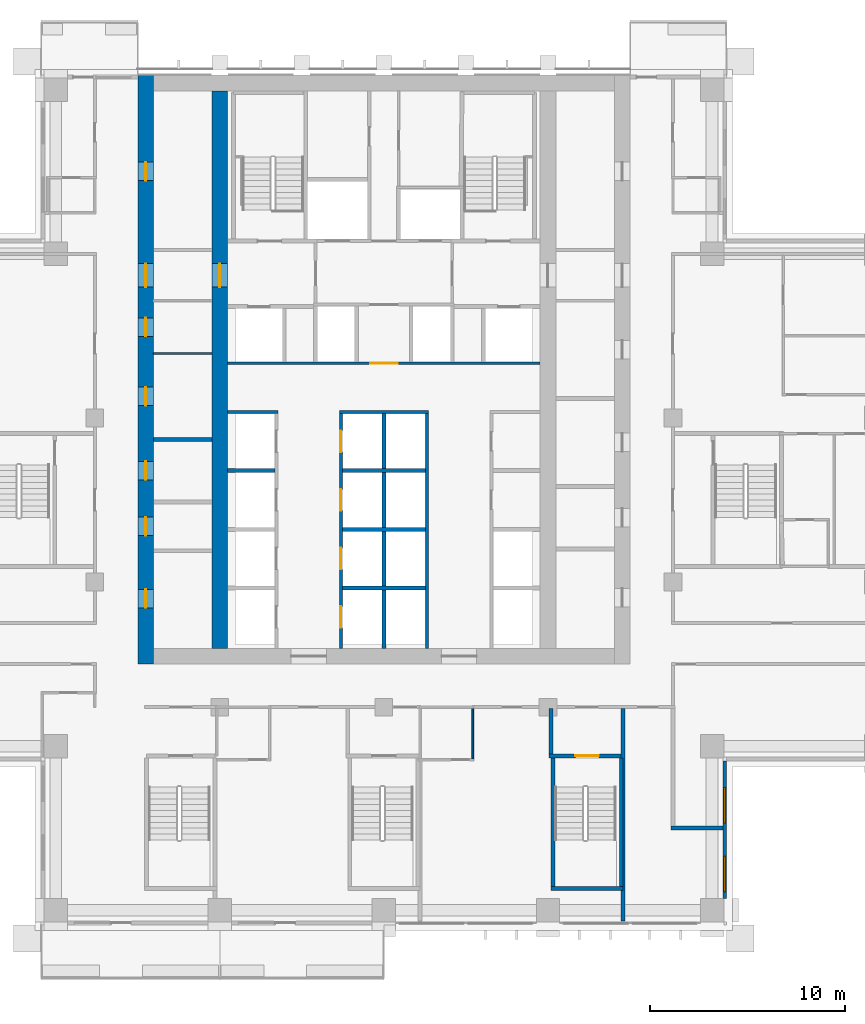
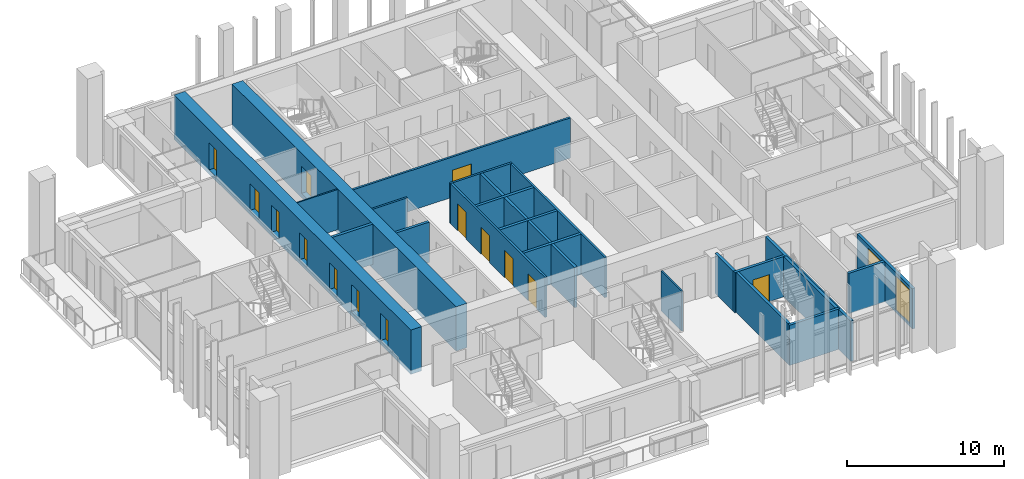
# One storey, part 8 of 17: 23 walls, 14 doors, 2 windows, 16 openings.
"""IFC4 building model written with IfcOpenShell, lengths in metres."""

from ifc_helpers import new_model, si_unit, direction, frame, frame_2d, origin, place, context, subcontext, project, spatial, rectangle, extrude, material, layer, layer_set, type_object, element, fill, save


model = new_model("IFC4")

# Units and contexts
model_context = context("Model", 3, precision=1e-05, world=origin(), true_north=direction((0.0, 1.0)))
body_context = subcontext(model_context, "Body", "Model", "MODEL_VIEW")
ifc_project = project(units=[si_unit("LENGTHUNIT", "METRE"), si_unit("AREAUNIT", "SQUARE_METRE"), si_unit("VOLUMEUNIT", "CUBIC_METRE"), si_unit("PLANEANGLEUNIT", "RADIAN"), si_unit("MASSUNIT", "GRAM", prefix="KILO")], contexts=[model_context])

# Site, building, storey
site_placement = place(None, origin())
site = spatial("IfcSite", under=ifc_project, at=site_placement, CompositionType="ELEMENT")
building_placement = place(site_placement, origin())
building = spatial("IfcBuilding", under=site, at=building_placement, Name="Vermilion Ogive Tower", CompositionType="ELEMENT")
storey_placement = place(building_placement, frame((0.0, 0.0, 111.449951171875)))
storey = spatial("IfcBuildingStorey", under=building, at=storey_placement, Name="L28", CompositionType="ELEMENT", Elevation=111.449951171875)

# Wall, openings, doors
ifc_material_1 = material(Name="Concrete B80", Category="concrete")
ifc_layer_1 = layer(ifc_material_1, 0.800048828125)
ifc_layer_set_1 = layer_set([ifc_layer_1], Name="Core wall 800 B80")
wall_type_1 = type_object("IfcWallType", Name="Core wall 800 B80", PredefinedType="SHEAR", material=ifc_layer_set_1)
wall_1_placement = place(storey_placement, frame((-12.199951171875, -8.39990234375, -0.320068359375), z_axis=(0.0, 0.0, 1.0), x_axis=(0.0, 1.0, 0.0)))
wall_1 = element("IfcWall", 1, at=wall_1_placement, inside=storey, type_object=wall_type_1, Name="L28-CORE-W", PredefinedType="SHEAR", context=body_context, shape_type="SweptSolid", body=[
    extrude(rectangle(XDim=30.14990234375, YDim=0.800048828125, at=frame_2d((15.074951171875, 0.0))), origin(), (0.0, 0.0, 1.0), 3.4501953125),
])
opening_1_placement = place(wall_1_placement, frame((2.875, 0.0, 0.320068359375)))
opening_1 = element("IfcOpeningElement", 2, at=opening_1_placement, cuts=wall_1, Name="Opening DAD056", PredefinedType="OPENING", context=body_context, shape_type="SweptSolid", body=[
    extrude(rectangle(XDim=0.949951171875, YDim=2.10009765625, at=frame_2d((0.47509765625, 1.050048828125))), frame((0.0, 0.409912109375, 0.0), z_axis=(0.0, -1.0, 0.0), x_axis=(1.0, 0.0, 0.0)), (0.0, 0.0, 1.0), 0.820068359375),
])
opening_2_placement = place(wall_1_placement, frame((6.574951171875, 0.0, 0.320068359375)))
opening_2 = element("IfcOpeningElement", 3, at=opening_2_placement, cuts=wall_1, Name="Opening DAD057", PredefinedType="OPENING", context=body_context, shape_type="SweptSolid", body=[
    extrude(rectangle(XDim=0.949951171875, YDim=2.10009765625, at=frame_2d((0.47509765625, 1.050048828125))), frame((0.0, 0.409912109375, 0.0), z_axis=(0.0, -1.0, 0.0), x_axis=(1.0, 0.0, 0.0)), (0.0, 0.0, 1.0), 0.820068359375),
])
opening_3_placement = place(wall_1_placement, frame((9.425048828125, 0.0, 0.320068359375)))
opening_3 = element("IfcOpeningElement", 4, at=opening_3_placement, cuts=wall_1, Name="Opening DAD058", PredefinedType="OPENING", context=body_context, shape_type="SweptSolid", body=[
    extrude(rectangle(XDim=0.949951171875, YDim=2.10009765625, at=frame_2d((0.47509765625, 1.050048828125))), frame((0.0, 0.409912109375, 0.0), z_axis=(0.0, -1.0, 0.0), x_axis=(1.0, 0.0, 0.0)), (0.0, 0.0, 1.0), 0.820068359375),
])
opening_4_placement = place(wall_1_placement, frame((13.22509765625, 0.0, 0.320068359375)))
opening_4 = element("IfcOpeningElement", 5, at=opening_4_placement, cuts=wall_1, Name="Opening DAD059", PredefinedType="OPENING", context=body_context, shape_type="SweptSolid", body=[
    extrude(rectangle(XDim=0.949951171875, YDim=2.10009765625, at=frame_2d((0.47509765625, 1.050048828125))), frame((0.0, 0.409912109375, 0.0), z_axis=(0.0, -1.0, 0.0), x_axis=(1.0, 0.0, 0.0)), (0.0, 0.0, 1.0), 0.820068359375),
])
opening_5_placement = place(wall_1_placement, frame((16.77490234375, 0.0, 0.320068359375)))
opening_5 = element("IfcOpeningElement", 6, at=opening_5_placement, cuts=wall_1, Name="Opening DAD060", PredefinedType="OPENING", context=body_context, shape_type="SweptSolid", body=[
    extrude(rectangle(XDim=0.949951171875, YDim=2.10009765625, at=frame_2d((0.47509765625, 1.050048828125))), frame((0.0, 0.409912109375, 0.0), z_axis=(0.0, -1.0, 0.0), x_axis=(1.0, 0.0, 0.0)), (0.0, 0.0, 1.0), 0.820068359375),
])
opening_6_placement = place(wall_1_placement, frame((24.75, 0.0, 0.320068359375)))
opening_6 = element("IfcOpeningElement", 7, at=opening_6_placement, cuts=wall_1, Name="Opening DAD061", PredefinedType="OPENING", context=body_context, shape_type="SweptSolid", body=[
    extrude(rectangle(XDim=0.949951171875, YDim=2.10009765625, at=frame_2d((0.47509765625, 1.050048828125))), frame((0.0, 0.409912109375, 0.0), z_axis=(0.0, -1.0, 0.0), x_axis=(1.0, 0.0, 0.0)), (0.0, 0.0, 1.0), 0.820068359375),
])
opening_7_placement = place(wall_1_placement, frame((19.300048828125, 0.0, 0.320068359375)))
opening_7 = element("IfcOpeningElement", 8, at=opening_7_placement, cuts=wall_1, Name="Opening DAM011", PredefinedType="OPENING", context=body_context, shape_type="SweptSolid", body=[
    extrude(rectangle(XDim=1.199951171875, YDim=2.10009765625, at=frame_2d((0.60009765625, 1.050048828125))), frame((0.0, 0.409912109375, 0.0), z_axis=(0.0, -1.0, 0.0), x_axis=(1.0, 0.0, 0.0)), (0.0, 0.0, 1.0), 0.820068359375),
])
ifc_material_2 = material(Name="Timber door leaf", Category="wood")
door_type_1 = type_object("IfcDoorType", Name="Link door 1200 x 2100 FD60S", OperationType="SINGLE_SWING_LEFT", PredefinedType="DOOR", material=ifc_material_2)
door_1_placement = place(opening_7_placement, origin())
door_1 = element("IfcDoor", 9, at=door_1_placement, inside=storey, type_object=door_type_1, Name="L28-CKW-XL", OperationType="SINGLE_SWING_LEFT", OverallHeight=2.10009765625, OverallWidth=1.199951171875, PredefinedType="DOOR", context=body_context, shape_type="SweptSolid", body=[
    extrude(rectangle(XDim=1.199951171875, YDim=2.10009765625, at=frame_2d((0.60009765625, 1.050048828125))), frame((0.0, 0.02490234375, 0.0), z_axis=(0.0, -1.0, 0.0), x_axis=(1.0, 0.0, 0.0)), (0.0, 0.0, 1.0), 0.050048828125),
])
fill(opening_7, door_1)
ifc_material_3 = material(Name="Timber door leaf", Category="wood")
door_type_2 = type_object("IfcDoorType", Name="Service door 950 x 2100 FD60", OperationType="SINGLE_SWING_LEFT", PredefinedType="DOOR", material=ifc_material_3)
door_2_placement = place(opening_1_placement, origin())
door_2 = element("IfcDoor", 10, at=door_2_placement, inside=storey, type_object=door_type_2, Name="L28-CKW-XR0", OperationType="SINGLE_SWING_LEFT", OverallHeight=2.10009765625, OverallWidth=0.949951171875, PredefinedType="DOOR", context=body_context, shape_type="SweptSolid", body=[
    extrude(rectangle(XDim=0.949951171875, YDim=2.10009765625, at=frame_2d((0.47509765625, 1.050048828125))), frame((0.0, 0.02490234375, 0.0), z_axis=(0.0, -1.0, 0.0), x_axis=(1.0, 0.0, 0.0)), (0.0, 0.0, 1.0), 0.050048828125),
])
fill(opening_1, door_2)
door_3_placement = place(opening_2_placement, origin())
door_3 = element("IfcDoor", 11, at=door_3_placement, inside=storey, type_object=door_type_2, Name="L28-CKW-XR1", OperationType="SINGLE_SWING_LEFT", OverallHeight=2.10009765625, OverallWidth=0.949951171875, PredefinedType="DOOR", context=body_context, shape_type="SweptSolid", body=[
    extrude(rectangle(XDim=0.949951171875, YDim=2.10009765625, at=frame_2d((0.47509765625, 1.050048828125))), frame((0.0, 0.02490234375, 0.0), z_axis=(0.0, -1.0, 0.0), x_axis=(1.0, 0.0, 0.0)), (0.0, 0.0, 1.0), 0.050048828125),
])
fill(opening_2, door_3)
door_4_placement = place(opening_3_placement, origin())
door_4 = element("IfcDoor", 12, at=door_4_placement, inside=storey, type_object=door_type_2, Name="L28-CKW-XR2", OperationType="SINGLE_SWING_LEFT", OverallHeight=2.10009765625, OverallWidth=0.949951171875, PredefinedType="DOOR", context=body_context, shape_type="SweptSolid", body=[
    extrude(rectangle(XDim=0.949951171875, YDim=2.10009765625, at=frame_2d((0.47509765625, 1.050048828125))), frame((0.0, 0.02490234375, 0.0), z_axis=(0.0, -1.0, 0.0), x_axis=(1.0, 0.0, 0.0)), (0.0, 0.0, 1.0), 0.050048828125),
])
fill(opening_3, door_4)
door_5_placement = place(opening_4_placement, origin())
door_5 = element("IfcDoor", 13, at=door_5_placement, inside=storey, type_object=door_type_2, Name="L28-CKW-XR3", OperationType="SINGLE_SWING_LEFT", OverallHeight=2.10009765625, OverallWidth=0.949951171875, PredefinedType="DOOR", context=body_context, shape_type="SweptSolid", body=[
    extrude(rectangle(XDim=0.949951171875, YDim=2.10009765625, at=frame_2d((0.47509765625, 1.050048828125))), frame((0.0, 0.02490234375, 0.0), z_axis=(0.0, -1.0, 0.0), x_axis=(1.0, 0.0, 0.0)), (0.0, 0.0, 1.0), 0.050048828125),
])
fill(opening_4, door_5)
door_6_placement = place(opening_5_placement, origin())
door_6 = element("IfcDoor", 14, at=door_6_placement, inside=storey, type_object=door_type_2, Name="L28-CKW-XR4", OperationType="SINGLE_SWING_LEFT", OverallHeight=2.10009765625, OverallWidth=0.949951171875, PredefinedType="DOOR", context=body_context, shape_type="SweptSolid", body=[
    extrude(rectangle(XDim=0.949951171875, YDim=2.10009765625, at=frame_2d((0.47509765625, 1.050048828125))), frame((0.0, 0.02490234375, 0.0), z_axis=(0.0, -1.0, 0.0), x_axis=(1.0, 0.0, 0.0)), (0.0, 0.0, 1.0), 0.050048828125),
])
fill(opening_5, door_6)
door_7_placement = place(opening_6_placement, origin())
door_7 = element("IfcDoor", 15, at=door_7_placement, inside=storey, type_object=door_type_2, Name="L28-CKW-XR5", OperationType="SINGLE_SWING_LEFT", OverallHeight=2.10009765625, OverallWidth=0.949951171875, PredefinedType="DOOR", context=body_context, shape_type="SweptSolid", body=[
    extrude(rectangle(XDim=0.949951171875, YDim=2.10009765625, at=frame_2d((0.47509765625, 1.050048828125))), frame((0.0, 0.02490234375, 0.0), z_axis=(0.0, -1.0, 0.0), x_axis=(1.0, 0.0, 0.0)), (0.0, 0.0, 1.0), 0.050048828125),
])
fill(opening_6, door_7)

# Wall, opening, door
wall_2_placement = place(storey_placement, frame((-8.39990234375, -7.60009765625, -0.320068359375), z_axis=(0.0, 0.0, 1.0), x_axis=(0.0, 1.0, 0.0)))
wall_2 = element("IfcWall", 16, at=wall_2_placement, inside=storey, type_object=wall_type_1, Name="L28-CORE-WEB1", PredefinedType="SHEAR", context=body_context, shape_type="SweptSolid", body=[
    extrude(rectangle(XDim=28.550048828125, YDim=0.800048828125, at=frame_2d((14.27490234375, 0.0))), origin(), (0.0, 0.0, 1.0), 3.4501953125),
])
opening_8_placement = place(wall_2_placement, frame((18.5, 0.0, 0.320068359375)))
opening_8 = element("IfcOpeningElement", 17, at=opening_8_placement, cuts=wall_2, Name="Opening DAP011", PredefinedType="OPENING", context=body_context, shape_type="SweptSolid", body=[
    extrude(rectangle(XDim=1.199951171875, YDim=2.10009765625, at=frame_2d((0.60009765625, 1.050048828125))), frame((0.0, 0.409912109375, 0.0), z_axis=(0.0, -1.0, 0.0), x_axis=(1.0, 0.0, 0.0)), (0.0, 0.0, 1.0), 0.820068359375),
])
door_8_placement = place(opening_8_placement, origin())
door_8 = element("IfcDoor", 18, at=door_8_placement, inside=storey, type_object=door_type_1, Name="L28-CKW-XW", OperationType="SINGLE_SWING_LEFT", OverallHeight=2.10009765625, OverallWidth=1.199951171875, PredefinedType="DOOR", context=body_context, shape_type="SweptSolid", body=[
    extrude(rectangle(XDim=1.199951171875, YDim=2.10009765625, at=frame_2d((0.60009765625, 1.050048828125))), frame((0.0, 0.02490234375, 0.0), z_axis=(0.0, -1.0, 0.0), x_axis=(1.0, 0.0, 0.0)), (0.0, 0.0, 1.0), 0.050048828125),
])
fill(opening_8, door_8)

# Walls
ifc_material_4 = material(Name="Gypsum board partition on steel studs", Category="steel")
ifc_layer_2 = layer(ifc_material_4, 0.10009765625)
ifc_layer_set_2 = layer_set([ifc_layer_2], Name="Partition 100 bath")
wall_type_2 = type_object("IfcWallType", Name="Partition 100 bath", PredefinedType="PARTITIONING", material=ifc_layer_set_2)
wall_3_placement = place(storey_placement, frame((4.550048828125, -13.248046875, 0.0), z_axis=(0.0, 0.0, 1.0), x_axis=(0.0, 1.0, 0.0)))
element("IfcWall", 19, at=wall_3_placement, inside=storey, type_object=wall_type_2, Name="L28-W-W062", PredefinedType="PARTITIONING", context=body_context, shape_type="SweptSolid", body=[
    extrude(rectangle(XDim=2.572998046875, YDim=0.10009765625, at=frame_2d((1.28662109375, 0.0))), origin(), (0.0, 0.0, 1.0), 3.130126953125),
])
wall_4_placement = place(storey_placement, frame((-11.799072265625, 7.5, 0.0), z_axis=(0.0, 0.0, 1.0), x_axis=(1.0, 0.0, 0.0)))
element("IfcWall", 20, at=wall_4_placement, inside=storey, type_object=wall_type_2, Name="L28-CKW-W-W004", PredefinedType="PARTITIONING", context=body_context, shape_type="SweptSolid", body=[
    extrude(rectangle(XDim=2.998046875, YDim=0.10009765625, at=frame_2d((1.4990234375, 0.0))), origin(), (0.0, 0.0, 1.0), 3.130126953125),
])
ifc_material_5 = material(Name="Gypsum board partition on steel studs", Category="steel")
ifc_layer_3 = layer(ifc_material_5, 0.14990234375)
ifc_layer_set_3 = layer_set([ifc_layer_3], Name="Partition 150 corridor")
wall_type_3 = type_object("IfcWallType", Name="Partition 150 corridor", PredefinedType="PARTITIONING", material=ifc_layer_set_3)
wall_5_placement = place(storey_placement, frame((-7.9990234375, 4.5, 0.0), z_axis=(0.0, 0.0, 1.0), x_axis=(1.0, 0.0, 0.0)))
element("IfcWall", 21, at=wall_5_placement, inside=storey, type_object=wall_type_3, Name="L28-CK-W-W010", PredefinedType="PARTITIONING", context=body_context, shape_type="SweptSolid", body=[
    extrude(rectangle(XDim=2.573974609375, YDim=0.14990234375, at=frame_2d((1.287109375, 0.0))), origin(), (0.0, 0.0, 1.0), 3.130126953125),
])
wall_6_placement = place(storey_placement, frame((-2.27490234375, 4.5, 0.0), z_axis=(0.0, 0.0, 1.0), x_axis=(1.0, 0.0, 0.0)))
element("IfcWall", 22, at=wall_6_placement, inside=storey, type_object=wall_type_3, Name="L28-CK-W-W011", PredefinedType="PARTITIONING", context=body_context, shape_type="SweptSolid", body=[
    extrude(rectangle(XDim=4.5498046875, YDim=0.14990234375, at=frame_2d((2.27490234375, 0.0))), origin(), (0.0, 0.0, 1.0), 3.130126953125),
])

# Wall, opening, door
wall_7_placement = place(storey_placement, frame((-7.9990234375, 7.0, 0.0), z_axis=(0.0, 0.0, 1.0), x_axis=(1.0, 0.0, 0.0)))
wall_7 = element("IfcWall", 23, at=wall_7_placement, inside=storey, type_object=wall_type_3, Name="L28-CK-W-W013", PredefinedType="PARTITIONING", context=body_context, shape_type="SweptSolid", body=[
    extrude(rectangle(XDim=15.998046875, YDim=0.14990234375, at=frame_2d((7.9990234375, 0.0))), origin(), (0.0, 0.0, 1.0), 3.130126953125),
])
opening_9_placement = place(wall_7_placement, frame((7.299072265625, 0.0, 0.0)))
opening_9 = element("IfcOpeningElement", 24, at=opening_9_placement, cuts=wall_7, Name="Opening DAA232", PredefinedType="OPENING", context=body_context, shape_type="SweptSolid", body=[
    extrude(rectangle(XDim=1.39990234375, YDim=2.10009765625, at=frame_2d((0.699951171875, 1.050048828125))), frame((0.0, 0.0849609375, 0.0), z_axis=(0.0, -1.0, 0.0), x_axis=(1.0, 0.0, 0.0)), (0.0, 0.0, 1.0), 0.169921875),
])
ifc_material_6 = material(Name="Timber door leaf", Category="wood")
door_type_3 = type_object("IfcDoorType", Name="Lobby door 1400 x 2100 FD60S", OperationType="SINGLE_SWING_LEFT", PredefinedType="DOOR", material=ifc_material_6)
door_9_placement = place(opening_9_placement, origin())
door_9 = element("IfcDoor", 25, at=door_9_placement, inside=storey, type_object=door_type_3, Name="L28-CK-D-D015", OperationType="SINGLE_SWING_RIGHT", OverallHeight=2.10009765625, OverallWidth=1.39990234375, PredefinedType="DOOR", context=body_context, shape_type="SweptSolid", body=[
    extrude(rectangle(XDim=1.39990234375, YDim=2.10009765625, at=frame_2d((0.699951171875, 1.050048828125))), frame((0.0, 0.02490234375, 0.0), z_axis=(0.0, -1.0, 0.0), x_axis=(1.0, 0.0, 0.0)), (0.0, 0.0, 1.0), 0.050048828125),
])
fill(opening_9, door_9)

# Wall, openings, doors
wall_8_placement = place(storey_placement, frame((-2.199951171875, -7.59912109375, 0.0), z_axis=(0.0, 0.0, 1.0), x_axis=(0.0, 1.0, 0.0)))
wall_8 = element("IfcWall", 26, at=wall_8_placement, inside=storey, type_object=wall_type_3, Name="L28-CK-W-W027", PredefinedType="PARTITIONING", context=body_context, shape_type="SweptSolid", body=[
    extrude(rectangle(XDim=12.024169921875, YDim=0.14990234375, at=frame_2d((6.01220703125, 0.0))), origin(), (0.0, 0.0, 1.0), 3.130126953125),
])
opening_10_placement = place(wall_8_placement, frame((1.049072265625, 0.0, 0.0)))
opening_10 = element("IfcOpeningElement", 27, at=opening_10_placement, cuts=wall_8, Name="Opening DAA247", PredefinedType="OPENING", context=body_context, shape_type="SweptSolid", body=[
    extrude(rectangle(XDim=1.10009765625, YDim=2.10009765625, at=frame_2d((0.550048828125, 1.050048828125))), frame((0.0, 0.0849609375, 0.0), z_axis=(0.0, -1.0, 0.0), x_axis=(1.0, 0.0, 0.0)), (0.0, 0.0, 1.0), 0.169921875),
])
opening_11_placement = place(wall_8_placement, frame((4.049072265625, 0.0, 0.0)))
opening_11 = element("IfcOpeningElement", 28, at=opening_11_placement, cuts=wall_8, Name="Opening DAA248", PredefinedType="OPENING", context=body_context, shape_type="SweptSolid", body=[
    extrude(rectangle(XDim=1.10009765625, YDim=2.10009765625, at=frame_2d((0.550048828125, 1.050048828125))), frame((0.0, 0.0849609375, 0.0), z_axis=(0.0, -1.0, 0.0), x_axis=(1.0, 0.0, 0.0)), (0.0, 0.0, 1.0), 0.169921875),
])
opening_12_placement = place(wall_8_placement, frame((7.049072265625, 0.0, 0.0)))
opening_12 = element("IfcOpeningElement", 29, at=opening_12_placement, cuts=wall_8, Name="Opening DAA249", PredefinedType="OPENING", context=body_context, shape_type="SweptSolid", body=[
    extrude(rectangle(XDim=1.10009765625, YDim=2.10009765625, at=frame_2d((0.550048828125, 1.050048828125))), frame((0.0, 0.0849609375, 0.0), z_axis=(0.0, -1.0, 0.0), x_axis=(1.0, 0.0, 0.0)), (0.0, 0.0, 1.0), 0.169921875),
])
opening_13_placement = place(wall_8_placement, frame((10.049072265625, 0.0, 0.0)))
opening_13 = element("IfcOpeningElement", 30, at=opening_13_placement, cuts=wall_8, Name="Opening DAA250", PredefinedType="OPENING", context=body_context, shape_type="SweptSolid", body=[
    extrude(rectangle(XDim=1.10009765625, YDim=2.10009765625, at=frame_2d((0.550048828125, 1.050048828125))), frame((0.0, 0.0849609375, 0.0), z_axis=(0.0, -1.0, 0.0), x_axis=(1.0, 0.0, 0.0)), (0.0, 0.0, 1.0), 0.169921875),
])
ifc_material_7 = material(Name="Stainless steel", Category="steel")
door_type_4 = type_object("IfcDoorType", Name="Lift landing door 1100 x 2100", OperationType="SLIDING_TO_LEFT", PredefinedType="DOOR", material=ifc_material_7)
door_10_placement = place(opening_10_placement, origin())
door_10 = element("IfcDoor", 31, at=door_10_placement, inside=storey, type_object=door_type_4, Name="L28-CK-D-D005", OperationType="SLIDING_TO_LEFT", OverallHeight=2.10009765625, OverallWidth=1.10009765625, PredefinedType="DOOR", context=body_context, shape_type="SweptSolid", body=[
    extrude(rectangle(XDim=1.10009765625, YDim=2.10009765625, at=frame_2d((0.550048828125, 1.050048828125))), frame((0.0, 0.02490234375, 0.0), z_axis=(0.0, -1.0, 0.0), x_axis=(1.0, 0.0, 0.0)), (0.0, 0.0, 1.0), 0.050048828125),
])
fill(opening_10, door_10)
door_11_placement = place(opening_11_placement, origin())
door_11 = element("IfcDoor", 32, at=door_11_placement, inside=storey, type_object=door_type_4, Name="L28-CK-D-D006", OperationType="SLIDING_TO_LEFT", OverallHeight=2.10009765625, OverallWidth=1.10009765625, PredefinedType="DOOR", context=body_context, shape_type="SweptSolid", body=[
    extrude(rectangle(XDim=1.10009765625, YDim=2.10009765625, at=frame_2d((0.550048828125, 1.050048828125))), frame((0.0, 0.02490234375, 0.0), z_axis=(0.0, -1.0, 0.0), x_axis=(1.0, 0.0, 0.0)), (0.0, 0.0, 1.0), 0.050048828125),
])
fill(opening_11, door_11)
door_12_placement = place(opening_12_placement, origin())
door_12 = element("IfcDoor", 33, at=door_12_placement, inside=storey, type_object=door_type_4, Name="L28-CK-D-D007", OperationType="SLIDING_TO_LEFT", OverallHeight=2.10009765625, OverallWidth=1.10009765625, PredefinedType="DOOR", context=body_context, shape_type="SweptSolid", body=[
    extrude(rectangle(XDim=1.10009765625, YDim=2.10009765625, at=frame_2d((0.550048828125, 1.050048828125))), frame((0.0, 0.02490234375, 0.0), z_axis=(0.0, -1.0, 0.0), x_axis=(1.0, 0.0, 0.0)), (0.0, 0.0, 1.0), 0.050048828125),
])
fill(opening_12, door_12)
door_13_placement = place(opening_13_placement, origin())
door_13 = element("IfcDoor", 34, at=door_13_placement, inside=storey, type_object=door_type_4, Name="L28-CK-D-D008", OperationType="SLIDING_TO_LEFT", OverallHeight=2.10009765625, OverallWidth=1.10009765625, PredefinedType="DOOR", context=body_context, shape_type="SweptSolid", body=[
    extrude(rectangle(XDim=1.10009765625, YDim=2.10009765625, at=frame_2d((0.550048828125, 1.050048828125))), frame((0.0, 0.02490234375, 0.0), z_axis=(0.0, -1.0, 0.0), x_axis=(1.0, 0.0, 0.0)), (0.0, 0.0, 1.0), 0.050048828125),
])
fill(opening_13, door_13)

# Walls
wall_9_placement = place(storey_placement, frame((2.199951171875, -7.59912109375, 0.0), z_axis=(0.0, 0.0, 1.0), x_axis=(0.0, 1.0, 0.0)))
element("IfcWall", 35, at=wall_9_placement, inside=storey, type_object=wall_type_3, Name="L28-CK-W-W034", PredefinedType="PARTITIONING", context=body_context, shape_type="SweptSolid", body=[
    extrude(rectangle(XDim=12.024169921875, YDim=0.14990234375, at=frame_2d((6.01220703125, 0.0))), origin(), (0.0, 0.0, 1.0), 3.130126953125),
])
ifc_material_8 = material(Name="Gypsum board partition on steel studs", Category="steel")
ifc_layer_4 = layer(ifc_material_8, 0.199951171875)
ifc_layer_set_4 = layer_set([ifc_layer_4], Name="Partition 200 party")
wall_type_4 = type_object("IfcWallType", Name="Partition 200 party", PredefinedType="PARTITIONING", material=ifc_layer_set_4)
wall_10_placement = place(storey_placement, frame((14.701904296875, -16.800048828125, 0.0), z_axis=(0.0, 0.0, 1.0), x_axis=(1.0, 0.0, 0.0)))
element("IfcWall", 36, at=wall_10_placement, inside=storey, type_object=wall_type_4, Name="L28-W-W003", PredefinedType="PARTITIONING", context=body_context, shape_type="SweptSolid", body=[
    extrude(rectangle(XDim=2.648193359375, YDim=0.199951171875, at=frame_2d((1.32421875, 0.0))), origin(), (0.0, 0.0, 1.0), 3.130126953125),
])
wall_11_placement = place(storey_placement, frame((8.550048828125, -12.998046875, 0.0), z_axis=(0.0, 0.0, 1.0), x_axis=(0.0, 1.0, 0.0)))
element("IfcWall", 37, at=wall_11_placement, inside=storey, type_object=wall_type_4, Name="L28-W-W063", PredefinedType="PARTITIONING", context=body_context, shape_type="SweptSolid", body=[
    extrude(rectangle(XDim=2.322998046875, YDim=0.199951171875, at=frame_2d((1.16162109375, 0.0))), origin(), (0.0, 0.0, 1.0), 3.130126953125),
])
for number, where, z_axis, x_axis, name in (
    (38, (-2.125, -4.5, 0.0), (0.0, 0.0, 1.0), (1.0, 0.0, 0.0), "L28-CK-W-W002"),
    (39, (-2.125, -1.5, 0.0), (0.0, 0.0, 1.0), (1.0, 0.0, 0.0), "L28-CK-W-W005"),
):
    element("IfcWall", number, at=place(storey_placement, frame(where, z_axis=z_axis, x_axis=x_axis)), inside=storey, type_object=wall_type_4, Name=name, PredefinedType="PARTITIONING", context=body_context, shape_type="SweptSolid", body=[
        extrude(rectangle(XDim=4.25, YDim=0.199951171875, at=frame_2d((2.125, 0.0))), origin(), (0.0, 0.0, 1.0), 3.130126953125),
    ])
wall_12_placement = place(storey_placement, frame((-7.9990234375, 1.5, 0.0), z_axis=(0.0, 0.0, 1.0), x_axis=(1.0, 0.0, 0.0)))
element("IfcWall", 40, at=wall_12_placement, inside=storey, type_object=wall_type_4, Name="L28-CK-W-W007", PredefinedType="PARTITIONING", context=body_context, shape_type="SweptSolid", body=[
    extrude(rectangle(XDim=2.424072265625, YDim=0.199951171875, at=frame_2d((1.2119140625, 0.0))), origin(), (0.0, 0.0, 1.0), 3.130126953125),
])
wall_13_placement = place(storey_placement, frame((-2.125, 1.5, 0.0), z_axis=(0.0, 0.0, 1.0), x_axis=(1.0, 0.0, 0.0)))
element("IfcWall", 41, at=wall_13_placement, inside=storey, type_object=wall_type_4, Name="L28-CK-W-W008", PredefinedType="PARTITIONING", context=body_context, shape_type="SweptSolid", body=[
    extrude(rectangle(XDim=4.25, YDim=0.199951171875, at=frame_2d((2.125, 0.0))), origin(), (0.0, 0.0, 1.0), 3.130126953125),
])
wall_14_placement = place(storey_placement, frame((0.0, -7.59912109375, 0.0), z_axis=(0.0, 0.0, 1.0), x_axis=(0.0, 1.0, 0.0)))
element("IfcWall", 42, at=wall_14_placement, inside=storey, type_object=wall_type_4, Name="L28-CK-W-W030", PredefinedType="PARTITIONING", context=body_context, shape_type="SweptSolid", body=[
    extrude(rectangle(XDim=12.024169921875, YDim=0.199951171875, at=frame_2d((6.01220703125, 0.0))), origin(), (0.0, 0.0, 1.0), 3.130126953125),
])
wall_15_placement = place(storey_placement, frame((-11.799072265625, 3.10009765625, 0.0), z_axis=(0.0, 0.0, 1.0), x_axis=(1.0, 0.0, 0.0)))
element("IfcWall", 43, at=wall_15_placement, inside=storey, type_object=wall_type_4, Name="L28-CKW-W-W003", PredefinedType="PARTITIONING", context=body_context, shape_type="SweptSolid", body=[
    extrude(rectangle(XDim=2.998046875, YDim=0.199951171875, at=frame_2d((1.4990234375, 0.0))), origin(), (0.0, 0.0, 1.0), 3.130126953125),
])
ifc_material_9 = material(Name="Concrete B60", Category="concrete")
ifc_layer_5 = layer(ifc_material_9, 0.199951171875)
ifc_layer_set_5 = layer_set([ifc_layer_5], Name="Stair shaft wall 200 Concrete B60")
wall_type_5 = type_object("IfcWallType", Name="Stair shaft wall 200 Concrete B60", PredefinedType="SOLIDWALL", material=ifc_layer_set_5)
wall_16_placement = place(storey_placement, frame((8.552001953125, -19.89990234375, 0.0), z_axis=(0.0, 0.0, 1.0), x_axis=(1.0, 0.0, 0.0)))
element("IfcWall", 44, at=wall_16_placement, inside=storey, type_object=wall_type_5, Name="L28-W-W002", PredefinedType="SOLIDWALL", context=body_context, shape_type="SweptSolid", body=[
    extrude(rectangle(XDim=3.696044921875, YDim=0.199951171875, at=frame_2d((1.84814453125, 0.0))), origin(), (0.0, 0.0, 1.0), 3.130126953125),
])

# Wall, opening, door
wall_17_placement = place(storey_placement, frame((8.451904296875, -13.10009765625, 0.0), z_axis=(0.0, 0.0, 1.0), x_axis=(1.0, 0.0, 0.0)))
wall_17 = element("IfcWall", 45, at=wall_17_placement, inside=storey, type_object=wall_type_5, Name="L28-W-W008", PredefinedType="SOLIDWALL", context=body_context, shape_type="SweptSolid", body=[
    extrude(rectangle(XDim=3.696044921875, YDim=0.199951171875, at=frame_2d((1.84814453125, 0.0))), origin(), (0.0, 0.0, 1.0), 3.130126953125),
])
opening_14_placement = place(wall_17_placement, frame((1.34814453125, 0.0, 0.0)))
opening_14 = element("IfcOpeningElement", 46, at=opening_14_placement, cuts=wall_17, Name="Opening D2G5028", PredefinedType="OPENING", context=body_context, shape_type="SweptSolid", body=[
    extrude(rectangle(XDim=1.199951171875, YDim=2.10009765625, at=frame_2d((0.60009765625, 1.050048828125))), frame((0.0, 0.10986328125, 0.0), z_axis=(0.0, -1.0, 0.0), x_axis=(1.0, 0.0, 0.0)), (0.0, 0.0, 1.0), 0.219970703125),
])
ifc_material_10 = material(Name="Timber door leaf", Category="wood")
door_type_5 = type_object("IfcDoorType", Name="Stair door 1200 x 2100 FD60S", OperationType="SINGLE_SWING_LEFT", PredefinedType="DOOR", material=ifc_material_10)
door_14_placement = place(opening_14_placement, origin())
door_14 = element("IfcDoor", 47, at=door_14_placement, inside=storey, type_object=door_type_5, Name="L28-D-D028", OperationType="SINGLE_SWING_RIGHT", OverallHeight=2.10009765625, OverallWidth=1.199951171875, PredefinedType="DOOR", context=body_context, shape_type="SweptSolid", body=[
    extrude(rectangle(XDim=1.199951171875, YDim=2.10009765625, at=frame_2d((0.60009765625, 1.050048828125))), frame((0.0, 0.02490234375, 0.0), z_axis=(0.0, -1.0, 0.0), x_axis=(1.0, 0.0, 0.0)), (0.0, 0.0, 1.0), 0.050048828125),
])
fill(opening_14, door_14)

# Walls
for number, where, z_axis, x_axis, name in (
    (48, (8.64990234375, -19.798095703125, 0.0), (0.0, 0.0, 1.0), (0.0, 1.0, 0.0), "L28-W-W064"),
    (49, (12.14990234375, -19.798095703125, 0.0), (0.0, 0.0, 1.0), (0.0, 1.0, 0.0), "L28-W-W065"),
):
    element("IfcWall", number, at=place(storey_placement, frame(where, z_axis=z_axis, x_axis=x_axis)), inside=storey, type_object=wall_type_5, Name=name, PredefinedType="SOLIDWALL", context=body_context, shape_type="SweptSolid", body=[
        extrude(rectangle(XDim=6.59619140625, YDim=0.199951171875, at=frame_2d((3.298095703125, 0.0))), origin(), (0.0, 0.0, 1.0), 3.130126953125),
    ])
wall_18_placement = place(storey_placement, frame((12.25, -21.550048828125, 0.0), z_axis=(0.0, 0.0, 1.0), x_axis=(0.0, 1.0, 0.0)))
element("IfcWall", 50, at=wall_18_placement, inside=storey, type_object=wall_type_5, Name="L28-W-W066-A", PredefinedType="SOLIDWALL", context=body_context, shape_type="SweptSolid", body=[
    extrude(rectangle(XDim=10.875, YDim=0.199951171875, at=frame_2d((5.4375, 0.0))), origin(), (0.0, 0.0, 1.0), 3.130126953125),
])

# Wall, openings, windows
ifc_material_11 = material(Name="Aluminium window wall framing", Category="aluminium")
ifc_layer_6 = layer(ifc_material_11, 0.199951171875)
ifc_layer_set_6 = layer_set([ifc_layer_6], Name="Window wall")
wall_type_6 = type_object("IfcWallType", Name="Window wall", PredefinedType="STANDARD", material=ifc_layer_set_6)
wall_19_placement = place(storey_placement, frame((17.449951171875, -20.39990234375, 0.0), z_axis=(0.0, 0.0, 1.0), x_axis=(0.0, 1.0, 0.0)))
wall_19 = element("IfcWall", 51, at=wall_19_placement, inside=storey, type_object=wall_type_6, Name="Window wall X11", PredefinedType="STANDARD", context=body_context, shape_type="SweptSolid", body=[
    extrude(rectangle(XDim=7.0498046875, YDim=0.199951171875, at=frame_2d((3.52490234375, 0.0))), origin(), (0.0, 0.0, 1.0), 3.130126953125),
])
opening_15_placement = place(wall_19_placement, frame((0.35009765625, 0.0, 0.199951171875)))
opening_15 = element("IfcOpeningElement", 52, at=opening_15_placement, cuts=wall_19, Name="Opening W1-X195", PredefinedType="OPENING", context=body_context, shape_type="SweptSolid", body=[
    extrude(rectangle(XDim=1.800048828125, YDim=2.64990234375, at=frame_2d((0.89990234375, 1.324951171875))), frame((0.0, 0.10986328125, 0.0), z_axis=(0.0, -1.0, 0.0), x_axis=(1.0, 0.0, 0.0)), (0.0, 0.0, 1.0), 0.219970703125),
])
opening_16_placement = place(wall_19_placement, frame((3.875, 0.0, 0.199951171875)))
opening_16 = element("IfcOpeningElement", 53, at=opening_16_placement, cuts=wall_19, Name="Opening W1-X196", PredefinedType="OPENING", context=body_context, shape_type="SweptSolid", body=[
    extrude(rectangle(XDim=1.800048828125, YDim=2.64990234375, at=frame_2d((0.89990234375, 1.324951171875))), frame((0.0, 0.10986328125, 0.0), z_axis=(0.0, -1.0, 0.0), x_axis=(1.0, 0.0, 0.0)), (0.0, 0.0, 1.0), 0.219970703125),
])
ifc_material_12 = material(Name="Aluminium framed double glazing", Category="aluminium")
window_type = type_object("IfcWindowType", Name="Guest window W1", PartitioningType="SINGLE_PANEL", PredefinedType="WINDOW", material=ifc_material_12)
window_1_placement = place(opening_15_placement, origin())
window_1 = element("IfcWindow", 54, at=window_1_placement, inside=storey, type_object=window_type, Name="Window X195", OverallHeight=2.64990234375, OverallWidth=1.800048828125, PartitioningType="SINGLE_PANEL", PredefinedType="WINDOW", context=body_context, shape_type="SweptSolid", body=[
    extrude(rectangle(XDim=1.800048828125, YDim=2.64990234375, at=frame_2d((0.89990234375, 1.324951171875))), frame((0.0, 0.030029296875, 0.0), z_axis=(0.0, -1.0, 0.0), x_axis=(1.0, 0.0, 0.0)), (0.0, 0.0, 1.0), 0.06005859375),
])
fill(opening_15, window_1)
window_2_placement = place(opening_16_placement, origin())
window_2 = element("IfcWindow", 55, at=window_2_placement, inside=storey, type_object=window_type, Name="Window X196", OverallHeight=2.64990234375, OverallWidth=1.800048828125, PartitioningType="SINGLE_PANEL", PredefinedType="WINDOW", context=body_context, shape_type="SweptSolid", body=[
    extrude(rectangle(XDim=1.800048828125, YDim=2.64990234375, at=frame_2d((0.89990234375, 1.324951171875))), frame((0.0, 0.030029296875, 0.0), z_axis=(0.0, -1.0, 0.0), x_axis=(1.0, 0.0, 0.0)), (0.0, 0.0, 1.0), 0.06005859375),
])
fill(opening_16, window_2)

save(model, "model.ifc")
